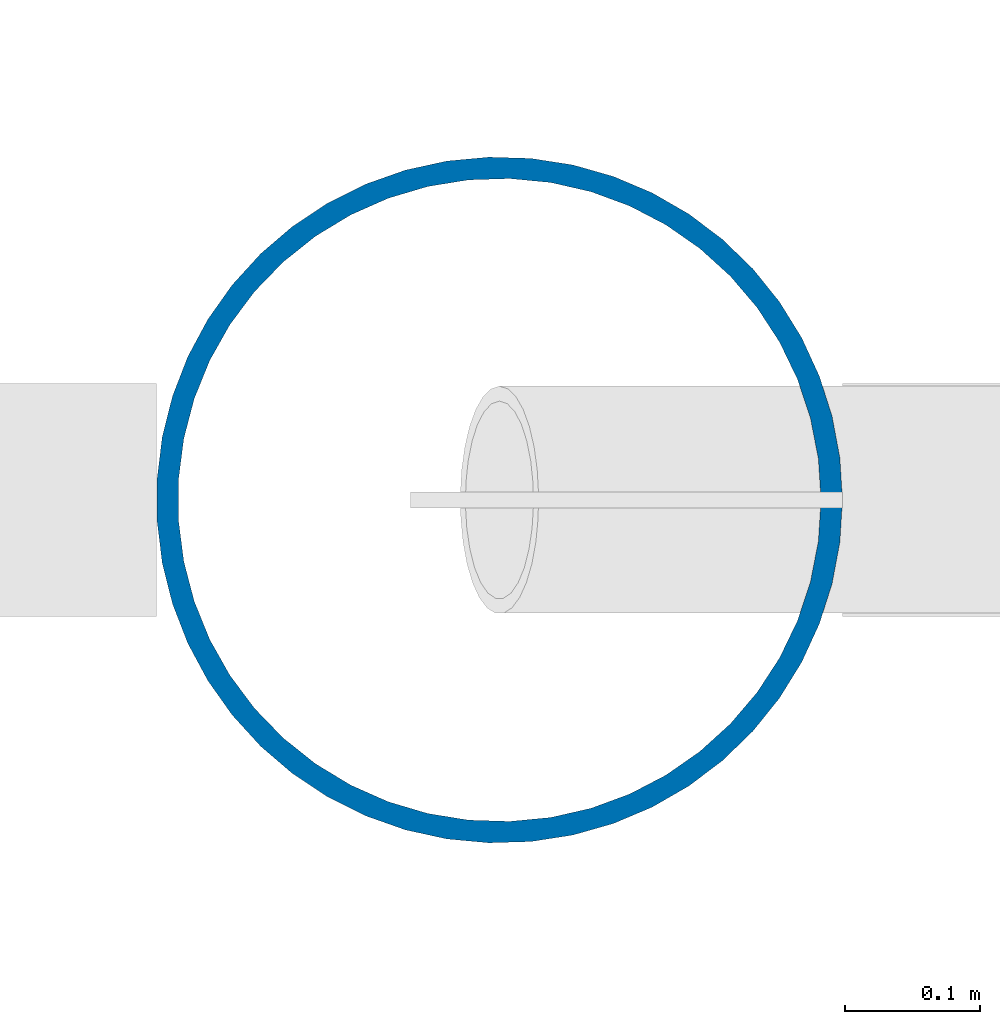
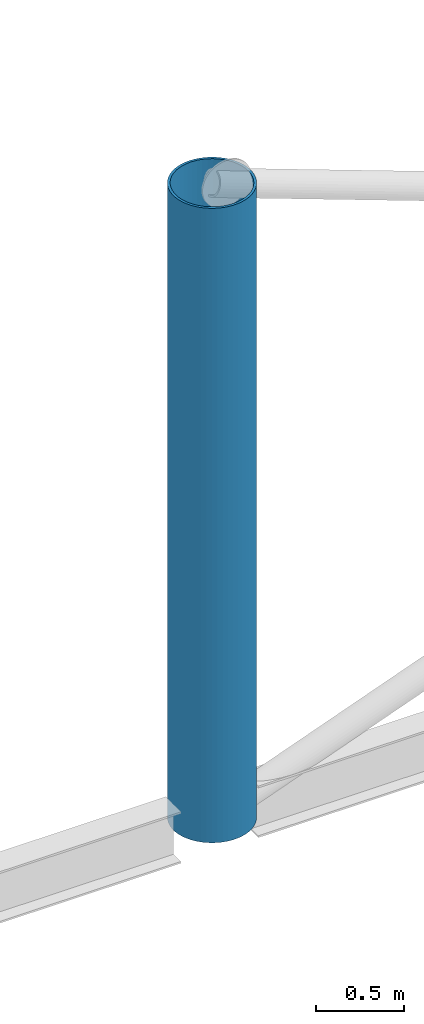
# One storey, part 5 of 95: 1 column.
"""IFC4 building model written with IfcOpenShell, lengths in metres."""

import ifcopenshell
import ifcopenshell.guid

model = None  # the IFC model being written
_history = None  # IfcOwnerHistory: only IFC2X3 demands one
_inside = {}  # id of a spatial element -> (the spatial element, [elements in it])
_under = {}  # id of a project, library or spatial element -> (it, [spatial elements below it])
_declared = {}  # id of a project -> (the project, [libraries it declares])
_typed = {}  # id of a type object -> (the type object, [elements of that type])
_made_of = {}  # id of a material, layer set ... -> (it, [elements and type objects made of it])


def new_model(schema):
    """Start an empty IFC model of exactly this schema.

    Asked for "IFC4X3", IfcOpenShell would pick the latest addendum, in which some entities
    have other attributes; the version numbers below select the first issue.
    IFC2X3 requires an IfcOwnerHistory on every rooted entity: one is made here for all.
    """
    global model, _history
    if schema == "IFC4X3":
        model = ifcopenshell.file(schema_version=(4, 3, 0, 0))
    else:
        model = ifcopenshell.file(schema=schema)
    _inside.clear()
    _under.clear()
    _declared.clear()
    _typed.clear()
    _made_of.clear()
    _history = None
    if model.schema == "IFC2X3":
        org = make("IfcOrganization", Name="unknown")
        user = make(
            "IfcPersonAndOrganization",
            ThePerson=make("IfcPerson", FamilyName="unknown"),
            TheOrganization=org,
        )
        app = make(
            "IfcApplication",
            ApplicationDeveloper=org,
            Version="unknown",
            ApplicationFullName="unknown",
            ApplicationIdentifier="unknown",
        )
        _history = make(
            "IfcOwnerHistory",
            OwningUser=user,
            OwningApplication=app,
            ChangeAction="ADDED",
            CreationDate=0,
        )
    return model


def make(cls, **values):
    """One entity of the class cls with the attributes given. An attribute that is None is left unset."""
    return model.create_entity(
        cls, **{name: value for name, value in values.items() if value is not None}
    )


def rooted(cls, **values):
    """An entity with a GlobalId (a new one), such as an element, a storey or a relation."""
    return make(cls, GlobalId=ifcopenshell.guid.new(), OwnerHistory=_history, **values)


def si_unit(unit_type, name, prefix=None):
    """IfcSIUnit, for example si_unit("LENGTHUNIT", "METRE", prefix="MILLI")."""
    return make("IfcSIUnit", UnitType=unit_type, Prefix=prefix, Name=name)


def assignment(units):
    """IfcUnitAssignment: the units of a project."""
    return None if units is None else make("IfcUnitAssignment", Units=units)


def point(xyz):
    """IfcCartesianPoint."""
    return None if xyz is None else make("IfcCartesianPoint", Coordinates=xyz)


def direction(xyz):
    """IfcDirection."""
    return None if xyz is None else make("IfcDirection", DirectionRatios=xyz)


def frame(location, z_axis=None, x_axis=None):
    """IfcAxis2Placement3D, a coordinate frame: its origin and axes. An axis left out is left unset."""
    return make(
        "IfcAxis2Placement3D",
        Location=point(location),
        Axis=direction(z_axis),
        RefDirection=direction(x_axis),
    )


def frame_2d(location, x_axis=None):
    """IfcAxis2Placement2D, a coordinate frame in the plane: its origin and x axis."""
    return make(
        "IfcAxis2Placement2D", Location=point(location), RefDirection=direction(x_axis)
    )


def origin():
    """The frame at (0, 0, 0) with its axes left unset."""
    return frame((0.0, 0.0, 0.0))


def origin_2d():
    """The frame at (0, 0) in the plane with its x axis left unset."""
    return frame_2d((0.0, 0.0))


def place(relative_to, where):
    """IfcLocalPlacement: puts the frame where relative to a parent placement (None: the world)."""
    return make(
        "IfcLocalPlacement", PlacementRelTo=relative_to, RelativePlacement=where
    )


def context(
    kind, dimensions, precision=None, world=None, true_north=None, identifier=None
):
    """IfcGeometricRepresentationContext, for example the 3D "Model" context."""
    return make(
        "IfcGeometricRepresentationContext",
        ContextIdentifier=identifier,
        ContextType=kind,
        CoordinateSpaceDimension=dimensions,
        Precision=precision,
        WorldCoordinateSystem=world,
        TrueNorth=true_north,
    )


def subcontext(parent, identifier, kind, view, scale=None):
    """IfcGeometricRepresentationSubContext, for example "Body" below "Model"."""
    return make(
        "IfcGeometricRepresentationSubContext",
        ContextIdentifier=identifier,
        ContextType=kind,
        ParentContext=parent,
        TargetScale=scale,
        TargetView=view,
    )


def project(units=None, contexts=None):
    """IfcProject with its units and contexts."""
    return rooted(
        "IfcProject",
        Name="project",
        RepresentationContexts=contexts,
        UnitsInContext=assignment(units),
    )


def spatial(cls, under=None, at=None, **own):
    """A site, building, storey or space (cls), placed at a placement, below another one or the project."""
    s = rooted(cls, ObjectPlacement=at, **own)
    if under is not None:
        _under.setdefault(under.id(), (under, []))[1].append(s)
    return s


def profile(cls, at=None, kind="AREA", **sizes):
    """A parametric profile (cls). Its sizes go by their IFC names, for example OverallWidth=200.0."""
    return make(cls, ProfileType=kind, Position=at, **sizes)


def hollow_circle(**sizes):
    """IfcCircleHollowProfileDef."""
    return profile("IfcCircleHollowProfileDef", **sizes)


def extrude(swept, where, along, depth):
    """IfcExtrudedAreaSolid: the profile swept, set in the frame where, extruded along a direction by depth."""
    return make(
        "IfcExtrudedAreaSolid",
        SweptArea=swept,
        Position=where,
        ExtrudedDirection=direction(along),
        Depth=depth,
    )


def shape(context_of_items, identifier, shape_type, items):
    """IfcShapeRepresentation: the items that make up one representation, for example the "Body"."""
    return make(
        "IfcShapeRepresentation",
        ContextOfItems=context_of_items,
        RepresentationIdentifier=identifier,
        RepresentationType=shape_type,
        Items=items,
    )


def material(Name=None, Category=None):
    """IfcMaterial."""
    return make("IfcMaterial", Name=Name, Category=Category)


def material_profile(
    of_material, cross_section, Name=None, Category=None, Priority=None
):
    """IfcMaterialProfile: a cross section and its material."""
    return make(
        "IfcMaterialProfile",
        Name=Name,
        Material=of_material,
        Profile=cross_section,
        Priority=Priority,
        Category=Category,
    )


def profile_set(profiles, Name=None, composite=None):
    """IfcMaterialProfileSet."""
    return make(
        "IfcMaterialProfileSet",
        Name=Name,
        MaterialProfiles=profiles,
        CompositeProfile=composite,
    )


def made_of(thing, what):
    """Note that an element or type object is made of a material, layer set ...; save() writes the relation."""
    if what is not None:
        _made_of.setdefault(what.id(), (what, []))[1].append(thing)
    return thing


def type_object(cls, material=None, **own):
    """A type object (cls), such as IfcWallType, which elements share."""
    return made_of(rooted(cls, **own), material)


def element(
    cls,
    number,
    at=None,
    inside=None,
    cuts=None,
    type_object=None,
    material=None,
    context=None,
    identifier="Body",
    shape_type=None,
    held_by="IfcProductDefinitionShape",
    body=None,
    shapes=None,
    **own,
):
    """One element of the class cls, such as IfcWall. Its Tag is "e" and its number.

    at: its placement. inside: the storey or other place that contains it. cuts: it is an
    opening in that element (IfcRelVoidsElement). A single representation is given by context,
    identifier, shape_type and body (its items); several are given by shapes. held_by: the class
    of the entity that holds the representations. save() writes the other relations.
    """
    e = rooted(cls, Tag="e%d" % number, ObjectPlacement=at, **own)
    if body is not None:
        shapes = [shape(context, identifier, shape_type, body)]
    if shapes is not None:
        e.Representation = make(held_by, Representations=shapes)
    if inside is not None:
        _inside.setdefault(inside.id(), (inside, []))[1].append(e)
    if cuts is not None:
        rooted(
            "IfcRelVoidsElement", RelatingBuildingElement=cuts, RelatedOpeningElement=e
        )
    if type_object is not None:
        _typed.setdefault(type_object.id(), (type_object, []))[1].append(e)
    return made_of(e, material)


def aggregate(whole, parts):
    """IfcRelAggregates: a whole, such as a stair, and the parts it consists of."""
    return rooted("IfcRelAggregates", RelatingObject=whole, RelatedObjects=parts)


def save(model, path):
    """Write the relations noted so far, then the file.

    IfcRelAggregates (storeys below a building ...), IfcRelContainedInSpatialStructure (elements
    in a storey), IfcRelDefinesByType, IfcRelAssociatesMaterial and IfcRelDeclares: one each for
    every whole, place, type object, material and project.
    """
    for whole, parts in _under.values():
        aggregate(whole, parts)
    for where, things in _inside.values():
        rooted(
            "IfcRelContainedInSpatialStructure",
            RelatedElements=things,
            RelatingStructure=where,
        )
    for kind, things in _typed.values():
        rooted("IfcRelDefinesByType", RelatedObjects=things, RelatingType=kind)
    for what, things in _made_of.values():
        rooted("IfcRelAssociatesMaterial", RelatedObjects=things, RelatingMaterial=what)
    for by, libraries in _declared.values():
        rooted("IfcRelDeclares", RelatingContext=by, RelatedDefinitions=libraries)
    model.write(path)


model = new_model("IFC4")

# Units and contexts
model_context = context("Model", 3, precision=1e-05, world=origin(), true_north=direction((0.0, 1.0)))
body_context = subcontext(model_context, "Body", "Model", "MODEL_VIEW")
ifc_project = project(units=[si_unit("LENGTHUNIT", "METRE"), si_unit("AREAUNIT", "SQUARE_METRE"), si_unit("VOLUMEUNIT", "CUBIC_METRE"), si_unit("PLANEANGLEUNIT", "RADIAN"), si_unit("MASSUNIT", "GRAM", prefix="KILO")], contexts=[model_context])

# Site, building, storey
site_placement = place(None, origin())
site = spatial("IfcSite", under=ifc_project, at=site_placement, CompositionType="ELEMENT")
building_placement = place(site_placement, origin())
building = spatial("IfcBuilding", under=site, at=building_placement, Name="Windward Yard Aquatics Centre", CompositionType="ELEMENT")
storey_placement = place(building_placement, frame((0.0, 0.0, 9.39990234375)))
storey = spatial("IfcBuildingStorey", under=building, at=storey_placement, Name="L02", CompositionType="ELEMENT", Elevation=9.39990234375)

# Column
ifc_material = material(Name="Steel ASTM A500 Gr C", Category="steel")
ifc_material_profile = material_profile(ifc_material, hollow_circle(Radius=0.25390625, WallThickness=0.015869140625, at=origin_2d()), Name="HSS508X15.9")
ifc_profile_set = profile_set([ifc_material_profile], Name="Steel ASTM A500 Gr C")
column_type = type_object("IfcColumnType", Name="H arch column HSS508X15.9", PredefinedType="COLUMN", material=ifc_profile_set)
column_placement = place(storey_placement, frame((132.0, 41.60009765625, 0.0), z_axis=(0.0, 0.0, 1.0), x_axis=(1.0, 0.0, 0.0)))
element("IfcColumn", 1, at=column_placement, inside=storey, type_object=column_type, Name="H.AC.S7.L02", PredefinedType="COLUMN", context=body_context, shape_type="SweptSolid", body=[
    extrude(hollow_circle(Radius=0.25390625, WallThickness=0.015869140625, at=origin_2d()), origin(), (0.0, 0.0, 1.0), 4.400146484375),
])

save(model, "model.ifc")
